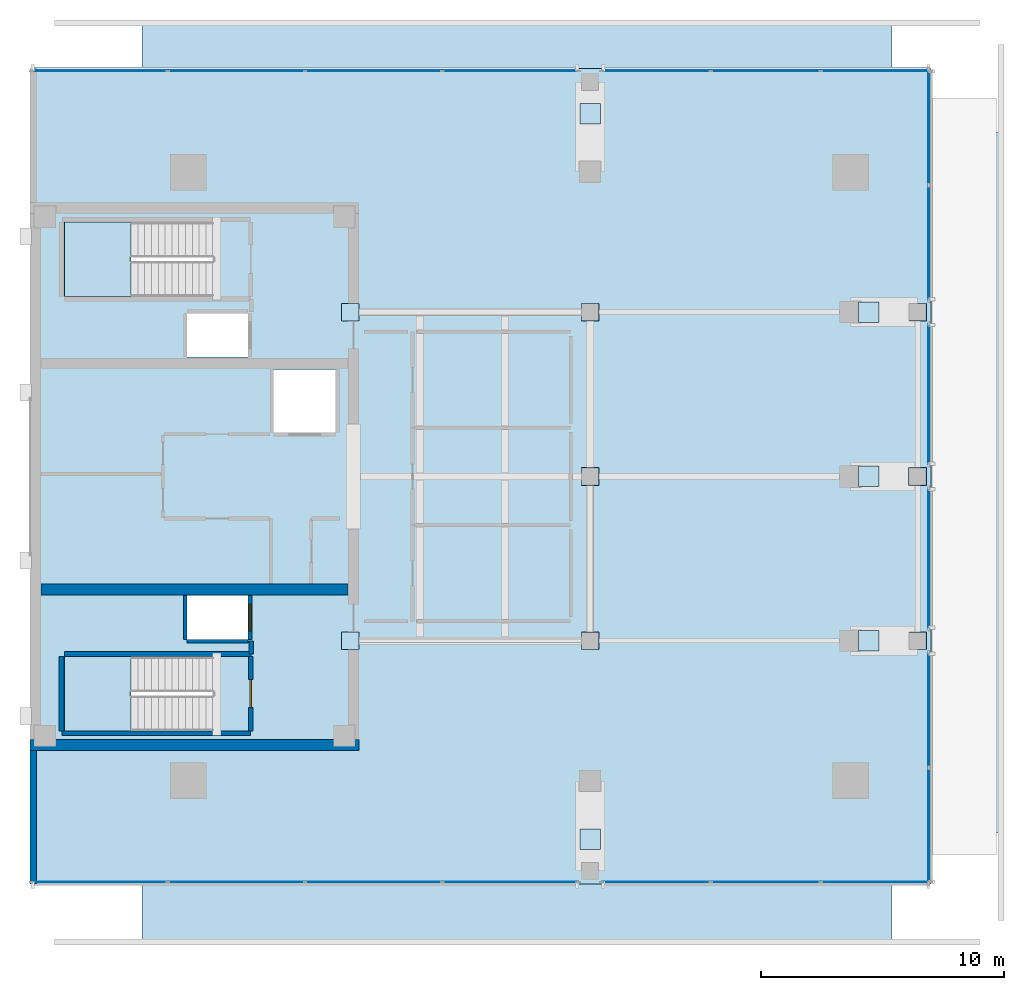
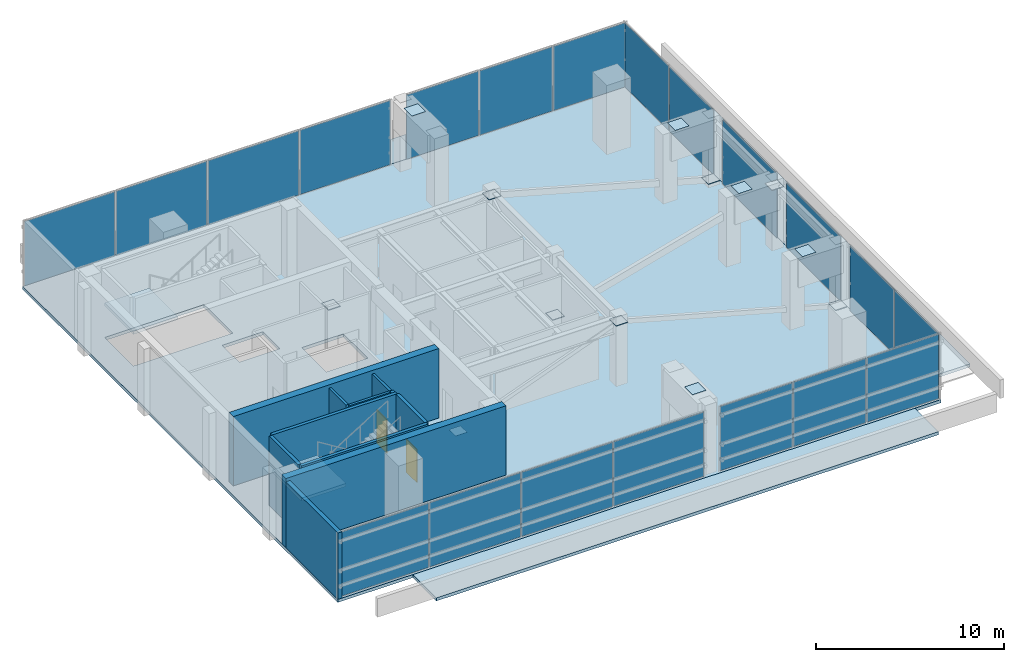
# One storey, part 7 of 13: 33 plates, 11 walls, 6 slabs, 2 doors, 2 openings, 10 elements without a shape of their own.
"""IFC4 building model written with IfcOpenShell, lengths in metres."""

from ifc_helpers import new_model, si_unit, direction, frame, frame_2d, origin, origin_2d, place, context, subcontext, project, spatial, polyline, rectangle, outline, extrude, material, layer, layer_set, type_object, element, fill, aggregate, save


model = new_model("IFC4")

# Units and contexts
model_context = context("Model", 3, precision=1e-05, world=origin(), true_north=direction((0.0, 1.0)))
body_context = subcontext(model_context, "Body", "Model", "MODEL_VIEW")
ifc_project = project(units=[si_unit("LENGTHUNIT", "METRE"), si_unit("AREAUNIT", "SQUARE_METRE"), si_unit("VOLUMEUNIT", "CUBIC_METRE"), si_unit("PLANEANGLEUNIT", "RADIAN"), si_unit("MASSUNIT", "GRAM", prefix="KILO")], contexts=[model_context])

# Site, building, storey
site_placement = place(None, origin())
site = spatial("IfcSite", under=ifc_project, at=site_placement, CompositionType="ELEMENT")
building_placement = place(site_placement, origin())
building = spatial("IfcBuilding", under=site, at=building_placement, Name="Kinhvarn Gate Tower", CompositionType="ELEMENT")
storey_placement = place(building_placement, frame((0.0, 0.0, 303.050048828125)))
storey = spatial("IfcBuildingStorey", under=building, at=storey_placement, Name="L80", CompositionType="ELEMENT", Elevation=303.050048828125)

# Curtain wall, plates
ifc_material_1 = material(Name="Anodised aluminium AW-6063", Category="aluminium")
ifc_layer_1 = layer(ifc_material_1, 0.199951171875)
ifc_layer_set_1 = layer_set([ifc_layer_1], Name="Anodised aluminium AW-6063")
curtain_wall_type = type_object("IfcCurtainWallType", Name="CW-SYS-6", PredefinedType="NOTDEFINED", material=ifc_layer_set_1)
curtain_wall_1_placement = place(storey_placement, origin())
curtain_wall_1 = element("IfcCurtainWall", 1, at=curtain_wall_1_placement, inside=storey, type_object=curtain_wall_type, Name="Curtain Wall CW6 (L80)", PredefinedType="NOTDEFINED")
ifc_material_2 = material(Name="Clear low-e double glazing", Category="glass")
ifc_layer_2 = layer(ifc_material_2, 0.031982421875)
ifc_layer_set_2 = layer_set([ifc_layer_2], Name="Clear low-e double glazing")
plate_type_1 = type_object("IfcPlateType", Name="CW-PNL-VIS", PredefinedType="CURTAIN_PANEL", material=ifc_layer_set_2)
plate_1_placement = place(storey_placement, frame((7.33740234375, 8.590087890625, 0.06494140625), z_axis=(0.0, 0.0, 1.0), x_axis=(1.0, 0.0, 0.0)))
plate_1 = element("IfcPlate", 2, at=plate_1_placement, type_object=plate_type_1, Name="CW6 panel 1.1", PredefinedType="CURTAIN_PANEL", context=body_context, shape_type="SweptSolid", body=[
    extrude(rectangle(XDim=5.544921875, YDim=0.031982421875, at=origin_2d()), origin(), (0.0, 0.0, 1.0), 4.169921875),
])
plate_2_placement = place(storey_placement, frame((12.9638671875, 8.590087890625, 0.06494140625), z_axis=(0.0, 0.0, 1.0), x_axis=(1.0, 0.0, 0.0)))
plate_2 = element("IfcPlate", 3, at=plate_2_placement, type_object=plate_type_1, Name="CW6 panel 2.1", PredefinedType="CURTAIN_PANEL", context=body_context, shape_type="SweptSolid", body=[
    extrude(rectangle(XDim=5.577392578125, YDim=0.031982421875, at=origin_2d()), origin(), (0.0, 0.0, 1.0), 4.169921875),
])
plate_3_placement = place(storey_placement, frame((18.606201171875, 8.590087890625, 0.06494140625), z_axis=(0.0, 0.0, 1.0), x_axis=(1.0, 0.0, 0.0)))
plate_3 = element("IfcPlate", 4, at=plate_3_placement, type_object=plate_type_1, Name="CW6 panel 3.1", PredefinedType="CURTAIN_PANEL", context=body_context, shape_type="SweptSolid", body=[
    extrude(rectangle(XDim=5.577392578125, YDim=0.031982421875, at=origin_2d()), origin(), (0.0, 0.0, 1.0), 4.169921875),
])
plate_4_placement = place(storey_placement, frame((24.232421875, 8.590087890625, 0.06494140625), z_axis=(0.0, 0.0, 1.0), x_axis=(1.0, 0.0, 0.0)))
plate_4 = element("IfcPlate", 5, at=plate_4_placement, type_object=plate_type_1, Name="CW6 panel 4.1", PredefinedType="CURTAIN_PANEL", context=body_context, shape_type="SweptSolid", body=[
    extrude(rectangle(XDim=5.544921875, YDim=0.031982421875, at=origin_2d()), origin(), (0.0, 0.0, 1.0), 4.169921875),
])
aggregate(curtain_wall_1, [plate_1, plate_2, plate_3, plate_4])

curtain_wall_2_placement = place(storey_placement, origin())
curtain_wall_2 = element("IfcCurtainWall", 6, at=curtain_wall_2_placement, inside=storey, type_object=curtain_wall_type, Name="Curtain Wall CW6 (L80)", PredefinedType="NOTDEFINED")
plate_5_placement = place(storey_placement, frame((30.2080078125, 8.590087890625, 0.06494140625), z_axis=(0.0, 0.0, 1.0), x_axis=(1.0, 0.0, 0.0)))
plate_5 = element("IfcPlate", 7, at=plate_5_placement, type_object=plate_type_1, Name="CW6 panel 1.1", PredefinedType="CURTAIN_PANEL", context=body_context, shape_type="SweptSolid", body=[
    extrude(rectangle(XDim=4.42578125, YDim=0.031982421875, at=origin_2d()), origin(), (0.0, 0.0, 1.0), 4.169921875),
])
plate_6_placement = place(storey_placement, frame((34.715087890625, 8.590087890625, 0.06494140625), z_axis=(0.0, 0.0, 1.0), x_axis=(1.0, 0.0, 0.0)))
plate_6 = element("IfcPlate", 8, at=plate_6_placement, type_object=plate_type_1, Name="CW6 panel 2.1", PredefinedType="CURTAIN_PANEL", context=body_context, shape_type="SweptSolid", body=[
    extrude(rectangle(XDim=4.458251953125, YDim=0.031982421875, at=origin_2d()), origin(), (0.0, 0.0, 1.0), 4.169921875),
])
plate_7_placement = place(storey_placement, frame((39.22216796875, 8.590087890625, 0.06494140625), z_axis=(0.0, 0.0, 1.0), x_axis=(1.0, 0.0, 0.0)))
plate_7 = element("IfcPlate", 9, at=plate_7_placement, type_object=plate_type_1, Name="CW6 panel 3.1", PredefinedType="CURTAIN_PANEL", context=body_context, shape_type="SweptSolid", body=[
    extrude(rectangle(XDim=4.42578125, YDim=0.031982421875, at=origin_2d()), origin(), (0.0, 0.0, 1.0), 4.169921875),
])
aggregate(curtain_wall_2, [plate_5, plate_6, plate_7])

curtain_wall_3_placement = place(storey_placement, origin())
curtain_wall_3 = element("IfcCurtainWall", 10, at=curtain_wall_3_placement, inside=storey, type_object=curtain_wall_type, Name="Curtain Wall CW6 (L80)", PredefinedType="NOTDEFINED")
plate_8_placement = place(storey_placement, frame((39.22216796875, 41.909912109375, 0.06494140625), z_axis=(0.0, 0.0, 1.0), x_axis=(-1.0, 0.0, 0.0)))
plate_8 = element("IfcPlate", 11, at=plate_8_placement, type_object=plate_type_1, Name="CW6 panel 1.1", PredefinedType="CURTAIN_PANEL", context=body_context, shape_type="SweptSolid", body=[
    extrude(rectangle(XDim=4.42578125, YDim=0.031982421875, at=origin_2d()), origin(), (0.0, 0.0, 1.0), 4.169921875),
])
plate_9_placement = place(storey_placement, frame((34.715087890625, 41.909912109375, 0.06494140625), z_axis=(0.0, 0.0, 1.0), x_axis=(-1.0, 0.0, 0.0)))
plate_9 = element("IfcPlate", 12, at=plate_9_placement, type_object=plate_type_1, Name="CW6 panel 2.1", PredefinedType="CURTAIN_PANEL", context=body_context, shape_type="SweptSolid", body=[
    extrude(rectangle(XDim=4.458251953125, YDim=0.031982421875, at=origin_2d()), origin(), (0.0, 0.0, 1.0), 4.169921875),
])
plate_10_placement = place(storey_placement, frame((30.2080078125, 41.909912109375, 0.06494140625), z_axis=(0.0, 0.0, 1.0), x_axis=(-1.0, 0.0, 0.0)))
plate_10 = element("IfcPlate", 13, at=plate_10_placement, type_object=plate_type_1, Name="CW6 panel 3.1", PredefinedType="CURTAIN_PANEL", context=body_context, shape_type="SweptSolid", body=[
    extrude(rectangle(XDim=4.42578125, YDim=0.031982421875, at=origin_2d()), origin(), (0.0, 0.0, 1.0), 4.169921875),
])
aggregate(curtain_wall_3, [plate_8, plate_9, plate_10])

curtain_wall_4_placement = place(storey_placement, origin())
curtain_wall_4 = element("IfcCurtainWall", 14, at=curtain_wall_4_placement, inside=storey, type_object=curtain_wall_type, Name="Curtain Wall CW6 (L80)", PredefinedType="NOTDEFINED")
plate_11_placement = place(storey_placement, frame((24.232421875, 41.909912109375, 0.06494140625), z_axis=(0.0, 0.0, 1.0), x_axis=(-1.0, 0.0, 0.0)))
plate_11 = element("IfcPlate", 15, at=plate_11_placement, type_object=plate_type_1, Name="CW6 panel 1.1", PredefinedType="CURTAIN_PANEL", context=body_context, shape_type="SweptSolid", body=[
    extrude(rectangle(XDim=5.544921875, YDim=0.031982421875, at=origin_2d()), origin(), (0.0, 0.0, 1.0), 4.169921875),
])
plate_12_placement = place(storey_placement, frame((18.606201171875, 41.909912109375, 0.06494140625), z_axis=(0.0, 0.0, 1.0), x_axis=(-1.0, 0.0, 0.0)))
plate_12 = element("IfcPlate", 16, at=plate_12_placement, type_object=plate_type_1, Name="CW6 panel 2.1", PredefinedType="CURTAIN_PANEL", context=body_context, shape_type="SweptSolid", body=[
    extrude(rectangle(XDim=5.577392578125, YDim=0.031982421875, at=origin_2d()), origin(), (0.0, 0.0, 1.0), 4.169921875),
])
plate_13_placement = place(storey_placement, frame((12.9638671875, 41.909912109375, 0.06494140625), z_axis=(0.0, 0.0, 1.0), x_axis=(-1.0, 0.0, 0.0)))
plate_13 = element("IfcPlate", 17, at=plate_13_placement, type_object=plate_type_1, Name="CW6 panel 3.1", PredefinedType="CURTAIN_PANEL", context=body_context, shape_type="SweptSolid", body=[
    extrude(rectangle(XDim=5.577392578125, YDim=0.031982421875, at=origin_2d()), origin(), (0.0, 0.0, 1.0), 4.169921875),
])
plate_14_placement = place(storey_placement, frame((7.33740234375, 41.909912109375, 0.06494140625), z_axis=(0.0, 0.0, 1.0), x_axis=(-1.0, 0.0, 0.0)))
plate_14 = element("IfcPlate", 18, at=plate_14_placement, type_object=plate_type_1, Name="CW6 panel 4.1", PredefinedType="CURTAIN_PANEL", context=body_context, shape_type="SweptSolid", body=[
    extrude(rectangle(XDim=5.544921875, YDim=0.031982421875, at=origin_2d()), origin(), (0.0, 0.0, 1.0), 4.169921875),
])
aggregate(curtain_wall_4, [plate_11, plate_12, plate_13, plate_14])

curtain_wall_5_placement = place(storey_placement, origin())
curtain_wall_5 = element("IfcCurtainWall", 19, at=curtain_wall_5_placement, inside=storey, type_object=curtain_wall_type, Name="Curtain Wall CW6 (L80)", PredefinedType="NOTDEFINED")
plate_15_placement = place(storey_placement, frame((41.409912109375, 10.90869140625, 0.06494140625), z_axis=(0.0, 0.0, 1.0), x_axis=(0.0, 1.0, 0.0)))
plate_15 = element("IfcPlate", 20, at=plate_15_placement, type_object=plate_type_1, Name="CW6 panel 1.1", PredefinedType="CURTAIN_PANEL", context=body_context, shape_type="SweptSolid", body=[
    extrude(rectangle(XDim=4.6875, YDim=0.031982421875, at=origin_2d()), origin(), (0.0, 0.0, 1.0), 4.169921875),
])
plate_16_placement = place(storey_placement, frame((41.409912109375, 15.6611328125, 0.06494140625), z_axis=(0.0, 0.0, 1.0), x_axis=(0.0, 1.0, 0.0)))
plate_16 = element("IfcPlate", 21, at=plate_16_placement, type_object=plate_type_1, Name="CW6 panel 2.1", PredefinedType="CURTAIN_PANEL", context=body_context, shape_type="SweptSolid", body=[
    extrude(rectangle(XDim=4.6875, YDim=0.031982421875, at=origin_2d()), origin(), (0.0, 0.0, 1.0), 4.169921875),
])
aggregate(curtain_wall_5, [plate_15, plate_16])

# Curtain wall, plate
curtain_wall_6_placement = place(storey_placement, origin())
curtain_wall_6 = element("IfcCurtainWall", 22, at=curtain_wall_6_placement, inside=storey, type_object=curtain_wall_type, Name="Curtain Wall CW6 (L80)", PredefinedType="NOTDEFINED")
plate_17_placement = place(storey_placement, frame((41.409912109375, 21.875, 0.06494140625), z_axis=(0.0, 0.0, 1.0), x_axis=(0.0, 1.0, 0.0)))
plate_17 = element("IfcPlate", 23, at=plate_17_placement, type_object=plate_type_1, Name="CW6 panel 1.1", PredefinedType="CURTAIN_PANEL", context=body_context, shape_type="SweptSolid", body=[
    extrude(rectangle(XDim=5.760009765625, YDim=0.031982421875, at=origin_2d()), origin(), (0.0, 0.0, 1.0), 4.169921875),
])
aggregate(curtain_wall_6, [plate_17])

curtain_wall_7_placement = place(storey_placement, origin())
curtain_wall_7 = element("IfcCurtainWall", 24, at=curtain_wall_7_placement, inside=storey, type_object=curtain_wall_type, Name="Curtain Wall CW6 (L80)", PredefinedType="NOTDEFINED")
plate_18_placement = place(storey_placement, frame((41.409912109375, 28.625, 0.06494140625), z_axis=(0.0, 0.0, 1.0), x_axis=(0.0, 1.0, 0.0)))
plate_18 = element("IfcPlate", 25, at=plate_18_placement, type_object=plate_type_1, Name="CW6 panel 1.1", PredefinedType="CURTAIN_PANEL", context=body_context, shape_type="SweptSolid", body=[
    extrude(rectangle(XDim=5.760009765625, YDim=0.031982421875, at=origin_2d()), origin(), (0.0, 0.0, 1.0), 4.169921875),
])
aggregate(curtain_wall_7, [plate_18])

# Curtain wall, plates
curtain_wall_8_placement = place(storey_placement, origin())
curtain_wall_8 = element("IfcCurtainWall", 26, at=curtain_wall_8_placement, inside=storey, type_object=curtain_wall_type, Name="Curtain Wall CW6 (L80)", PredefinedType="NOTDEFINED")
plate_19_placement = place(storey_placement, frame((41.409912109375, 34.8388671875, 0.06494140625), z_axis=(0.0, 0.0, 1.0), x_axis=(0.0, 1.0, 0.0)))
plate_19 = element("IfcPlate", 27, at=plate_19_placement, type_object=plate_type_1, Name="CW6 panel 1.1", PredefinedType="CURTAIN_PANEL", context=body_context, shape_type="SweptSolid", body=[
    extrude(rectangle(XDim=4.6875, YDim=0.031982421875, at=origin_2d()), origin(), (0.0, 0.0, 1.0), 4.169921875),
])
plate_20_placement = place(storey_placement, frame((41.409912109375, 39.59130859375, 0.06494140625), z_axis=(0.0, 0.0, 1.0), x_axis=(0.0, 1.0, 0.0)))
plate_20 = element("IfcPlate", 28, at=plate_20_placement, type_object=plate_type_1, Name="CW6 panel 2.1", PredefinedType="CURTAIN_PANEL", context=body_context, shape_type="SweptSolid", body=[
    extrude(rectangle(XDim=4.6875, YDim=0.031982421875, at=origin_2d()), origin(), (0.0, 0.0, 1.0), 4.169921875),
])
aggregate(curtain_wall_8, [plate_19, plate_20])

# Plates
ifc_material_3 = material(Name="Steel S355", Category="steel")
ifc_layer_3 = layer(ifc_material_3, 0.02392578125)
ifc_layer_set_3 = layer_set([ifc_layer_3], Name="Steel S355")
plate_type_2 = type_object("IfcPlateType", Name="PLT-NODE-CB1", PredefinedType="USERDEFINED", material=ifc_layer_set_3)
plate_21_placement = place(storey_placement, frame((0.0, 0.0, 4.47802734375)))
element("IfcPlate", 29, at=plate_21_placement, inside=storey, type_object=plate_type_2, Name="Structural Node Cap Plate CB1", ObjectType="GUSSET_PLATE", PredefinedType="USERDEFINED", context=body_context, shape_type="SweptSolid", body=[
    extrude(outline(polyline([(38.530029296875, 18.080078125), (39.3701171875, 18.080078125), (39.3701171875, 18.919921875), (38.530029296875, 18.919921875), (38.530029296875, 18.080078125)])), origin(), (0.0, 0.0, 1.0), 0.02392578125),
])
plate_22_placement = place(storey_placement, frame((0.0, 0.0, 4.47802734375)))
element("IfcPlate", 30, at=plate_22_placement, inside=storey, type_object=plate_type_2, Name="Structural Node Cap Plate CB1", ObjectType="GUSSET_PLATE", PredefinedType="USERDEFINED", context=body_context, shape_type="SweptSolid", body=[
    extrude(outline(polyline([(38.530029296875, 24.830078125), (39.3701171875, 24.830078125), (39.3701171875, 25.669921875), (38.530029296875, 25.669921875), (38.530029296875, 24.830078125)])), origin(), (0.0, 0.0, 1.0), 0.02392578125),
])
plate_23_placement = place(storey_placement, frame((0.0, 0.0, 4.47802734375)))
element("IfcPlate", 31, at=plate_23_placement, inside=storey, type_object=plate_type_2, Name="Structural Node Cap Plate CB1", ObjectType="GUSSET_PLATE", PredefinedType="USERDEFINED", context=body_context, shape_type="SweptSolid", body=[
    extrude(outline(polyline([(38.530029296875, 31.580078125), (39.3701171875, 31.580078125), (39.3701171875, 32.419921875), (38.530029296875, 32.419921875), (38.530029296875, 31.580078125)])), origin(), (0.0, 0.0, 1.0), 0.02392578125),
])
plate_24_placement = place(storey_placement, frame((0.0, 0.0, 4.47802734375)))
element("IfcPlate", 32, at=plate_24_placement, inside=storey, type_object=plate_type_2, Name="Structural Node Cap Plate CB1", ObjectType="GUSSET_PLATE", PredefinedType="USERDEFINED", context=body_context, shape_type="SweptSolid", body=[
    extrude(outline(polyline([(27.080078125, 9.929931640625), (27.919921875, 9.929931640625), (27.919921875, 10.77001953125), (27.080078125, 10.77001953125), (27.080078125, 9.929931640625)])), origin(), (0.0, 0.0, 1.0), 0.02392578125),
])
plate_25_placement = place(storey_placement, frame((0.0, 0.0, 4.47802734375)))
element("IfcPlate", 33, at=plate_25_placement, inside=storey, type_object=plate_type_2, Name="Structural Node Cap Plate CB1", ObjectType="GUSSET_PLATE", PredefinedType="USERDEFINED", context=body_context, shape_type="SweptSolid", body=[
    extrude(outline(polyline([(27.080078125, 39.72998046875), (27.919921875, 39.72998046875), (27.919921875, 40.570068359375), (27.080078125, 40.570068359375), (27.080078125, 39.72998046875)])), origin(), (0.0, 0.0, 1.0), 0.02392578125),
])
plate_26_placement = place(storey_placement, frame((0.0, 0.0, 0.238037109375)))
element("IfcPlate", 34, at=plate_26_placement, inside=storey, type_object=plate_type_2, Name="Structural Node Cap Plate CB1", ObjectType="GUSSET_PLATE", PredefinedType="USERDEFINED", context=body_context, shape_type="SweptSolid", body=[
    extrude(outline(polyline([(17.2900390625, 18.139892578125), (18.010009765625, 18.139892578125), (18.010009765625, 18.860107421875), (17.2900390625, 18.860107421875), (17.2900390625, 18.139892578125)])), origin(), (0.0, 0.0, 1.0), 0.02392578125),
])
plate_27_placement = place(storey_placement, frame((0.0, 0.0, 0.238037109375)))
element("IfcPlate", 35, at=plate_27_placement, inside=storey, type_object=plate_type_2, Name="Structural Node Cap Plate CB1", ObjectType="GUSSET_PLATE", PredefinedType="USERDEFINED", context=body_context, shape_type="SweptSolid", body=[
    extrude(outline(polyline([(17.2900390625, 31.639892578125), (18.010009765625, 31.639892578125), (18.010009765625, 32.360107421875), (17.2900390625, 32.360107421875), (17.2900390625, 31.639892578125)])), origin(), (0.0, 0.0, 1.0), 0.02392578125),
])
plate_28_placement = place(storey_placement, frame((0.0, 0.0, 0.238037109375)))
element("IfcPlate", 36, at=plate_28_placement, inside=storey, type_object=plate_type_2, Name="Structural Node Cap Plate CB1", ObjectType="GUSSET_PLATE", PredefinedType="USERDEFINED", context=body_context, shape_type="SweptSolid", body=[
    extrude(outline(polyline([(27.135009765625, 24.885009765625), (27.864990234375, 24.885009765625), (27.864990234375, 25.614990234375), (27.135009765625, 25.614990234375), (27.135009765625, 24.885009765625)])), origin(), (0.0, 0.0, 1.0), 0.02392578125),
])
ifc_layer_4 = layer(ifc_material_3, 0.033935546875)
ifc_layer_set_4 = layer_set([ifc_layer_4], Name="Steel S355")
plate_type_3 = type_object("IfcPlateType", Name="PLT-NODE-KN4", PredefinedType="USERDEFINED", material=ifc_layer_set_4)
plate_29_placement = place(storey_placement, frame((0.0, 0.0, 3.932861328125)))
element("IfcPlate", 37, at=plate_29_placement, inside=storey, type_object=plate_type_3, Name="Structural Node Cap Plate KN4", ObjectType="GUSSET_PLATE", PredefinedType="USERDEFINED", context=body_context, shape_type="SweptSolid", body=[
    extrude(outline(polyline([(27.139892578125, 18.139892578125), (27.860107421875, 18.139892578125), (27.860107421875, 18.860107421875), (27.139892578125, 18.860107421875), (27.139892578125, 18.139892578125)])), origin(), (0.0, 0.0, 1.0), 0.0341796875),
])
plate_30_placement = place(storey_placement, frame((0.0, 0.0, 0.23291015625)))
element("IfcPlate", 38, at=plate_30_placement, inside=storey, type_object=plate_type_3, Name="Structural Node Cap Plate KN4", ObjectType="GUSSET_PLATE", PredefinedType="USERDEFINED", context=body_context, shape_type="SweptSolid", body=[
    extrude(outline(polyline([(40.590087890625, 18.139892578125), (41.31005859375, 18.139892578125), (41.31005859375, 18.860107421875), (40.590087890625, 18.860107421875), (40.590087890625, 18.139892578125)])), origin(), (0.0, 0.0, 1.0), 0.033935546875),
])
plate_31_placement = place(storey_placement, frame((0.0, 0.0, 3.932861328125)))
element("IfcPlate", 39, at=plate_31_placement, inside=storey, type_object=plate_type_3, Name="Structural Node Cap Plate KN4", ObjectType="GUSSET_PLATE", PredefinedType="USERDEFINED", context=body_context, shape_type="SweptSolid", body=[
    extrude(outline(polyline([(27.139892578125, 31.639892578125), (27.860107421875, 31.639892578125), (27.860107421875, 32.360107421875), (27.139892578125, 32.360107421875), (27.139892578125, 31.639892578125)])), origin(), (0.0, 0.0, 1.0), 0.0341796875),
])
plate_32_placement = place(storey_placement, frame((0.0, 0.0, 0.23291015625)))
element("IfcPlate", 40, at=plate_32_placement, inside=storey, type_object=plate_type_3, Name="Structural Node Cap Plate KN4", ObjectType="GUSSET_PLATE", PredefinedType="USERDEFINED", context=body_context, shape_type="SweptSolid", body=[
    extrude(outline(polyline([(40.590087890625, 31.639892578125), (41.31005859375, 31.639892578125), (41.31005859375, 32.360107421875), (40.590087890625, 32.360107421875), (40.590087890625, 31.639892578125)])), origin(), (0.0, 0.0, 1.0), 0.033935546875),
])
plate_33_placement = place(storey_placement, frame((0.0, 0.0, 3.932861328125)))
element("IfcPlate", 41, at=plate_33_placement, inside=storey, type_object=plate_type_3, Name="Structural Node Cap Plate KN4", ObjectType="GUSSET_PLATE", PredefinedType="USERDEFINED", context=body_context, shape_type="SweptSolid", body=[
    extrude(outline(polyline([(40.5849609375, 24.885009765625), (41.31494140625, 24.885009765625), (41.31494140625, 25.614990234375), (40.5849609375, 25.614990234375), (40.5849609375, 24.885009765625)])), origin(), (0.0, 0.0, 1.0), 0.0341796875),
])

# Slabs
ifc_material_4 = material(Name="Concrete C40/50", Category="concrete")
ifc_layer_5 = layer(ifc_material_4, 0.199951171875)
ifc_layer_set_5 = layer_set([ifc_layer_5], Name="Concrete C40/50")
slab_type_1 = type_object("IfcSlabType", Name="SLB-FLR-200", PredefinedType="FLOOR", material=ifc_layer_set_5)
slab_1_placement = place(storey_placement, frame((0.0, 0.0, -0.199951171875)))
element("IfcSlab", 42, at=slab_1_placement, inside=storey, type_object=slab_type_1, Name="Suspended Floor Slab L80", PredefinedType="FLOOR", context=body_context, shape_type="SweptSolid", body=[
    extrude(outline(polyline([(4.5, 8.5), (41.5, 8.5), (41.5, 42.0), (4.5, 42.0), (4.5, 8.5)]), holes=[polyline([(5.89990234375, 14.800048828125), (12.0, 14.800048828125), (12.0, 17.85009765625), (5.89990234375, 17.85009765625), (5.89990234375, 14.800048828125)]), polyline([(5.89990234375, 32.64990234375), (12.0, 32.64990234375), (12.0, 35.699951171875), (5.89990234375, 35.699951171875), (5.89990234375, 32.64990234375)]), polyline([(14.5, 27.050048828125), (17.050048828125, 27.050048828125), (17.050048828125, 29.64990234375), (14.5, 29.64990234375), (14.5, 27.050048828125)]), polyline([(10.949951171875, 18.550048828125), (13.449951171875, 18.550048828125), (13.449951171875, 20.35009765625), (10.949951171875, 20.35009765625), (10.949951171875, 18.550048828125)]), polyline([(10.949951171875, 30.14990234375), (13.449951171875, 30.14990234375), (13.449951171875, 31.949951171875), (10.949951171875, 31.949951171875), (10.949951171875, 30.14990234375)])]), origin(), (0.0, 0.0, 1.0), 0.199951171875),
])
ifc_material_5 = material(Name="Concrete C50/60", Category="concrete")
ifc_layer_6 = layer(ifc_material_5, 0.199951171875)
ifc_layer_set_6 = layer_set([ifc_layer_6], Name="Concrete C50/60")
slab_type_2 = type_object("IfcSlabType", Name="SLB-ROOF-200", PredefinedType="ROOF", material=ifc_layer_set_6)
slab_2_placement = place(storey_placement, frame((0.0, 0.0, -0.199951171875)))
element("IfcSlab", 43, at=slab_2_placement, inside=storey, type_object=slab_type_2, Name="Stepped Crown Ledge Roof Slab L80-E", PredefinedType="ROOF", context=body_context, shape_type="SweptSolid", body=[
    extrude(outline(polyline([(41.5, 10.60009765625), (41.5, 39.39990234375), (44.5, 39.39990234375), (44.5, 10.60009765625), (41.5, 10.60009765625)])), origin(), (0.0, 0.0, 1.0), 0.199951171875),
])
slab_3_placement = place(storey_placement, frame((0.0, 0.0, -0.199951171875)))
element("IfcSlab", 44, at=slab_3_placement, inside=storey, type_object=slab_type_2, Name="Stepped Crown Ledge Roof Slab L80-S", PredefinedType="ROOF", context=body_context, shape_type="SweptSolid", body=[
    extrude(outline(polyline([(9.10009765625, 6.0), (9.10009765625, 8.5), (39.89990234375, 8.5), (39.89990234375, 6.0), (9.10009765625, 6.0)])), origin(), (0.0, 0.0, 1.0), 0.199951171875),
])
slab_4_placement = place(storey_placement, frame((0.0, 0.0, -0.199951171875)))
element("IfcSlab", 45, at=slab_4_placement, inside=storey, type_object=slab_type_2, Name="Stepped Crown Ledge Roof Slab L80-N", PredefinedType="ROOF", context=body_context, shape_type="SweptSolid", body=[
    extrude(outline(polyline([(39.89990234375, 42.0), (9.10009765625, 42.0), (9.10009765625, 44.0), (39.89990234375, 44.0), (39.89990234375, 42.0)])), origin(), (0.0, 0.0, 1.0), 0.199951171875),
])

# Stair, slab
stair_type = type_object("IfcStairType", Name="STR-DLG-173", PredefinedType="HALF_TURN_STAIR", material=ifc_material_4)
stair_1_placement = place(storey_placement, origin())
stair_1 = element("IfcStair", 46, at=stair_1_placement, inside=storey, type_object=stair_type, Name="L80 Core Smokeproof Exit Stair ST1", PredefinedType="HALF_TURN_STAIR")
ifc_layer_7 = layer(ifc_material_4, 0.199951171875)
ifc_layer_set_7 = layer_set([ifc_layer_7], Name="Concrete C40/50")
slab_type_3 = type_object("IfcSlabType", Name="SLB-ST-LND", PredefinedType="LANDING", material=ifc_layer_set_7)
slab_5_placement = place(storey_placement, frame((0.0, 0.0, 2.050048828125)))
slab_5 = element("IfcSlab", 47, at=slab_5_placement, type_object=slab_type_3, Name="ST1 landing 1", PredefinedType="LANDING", context=body_context, shape_type="SweptSolid", body=[
    extrude(outline(polyline([(8.639892578125, 17.85009765625), (5.89990234375, 17.85009765625), (5.89990234375, 14.800048828125), (8.639892578125, 14.800048828125), (8.639892578125, 17.85009765625)])), origin(), (0.0, 0.0, 1.0), 0.199951171875),
])
aggregate(stair_1, [slab_5])

stair_2_placement = place(storey_placement, origin())
stair_2 = element("IfcStair", 48, at=stair_2_placement, inside=storey, type_object=stair_type, Name="L80 Core Smokeproof Exit Stair ST2", PredefinedType="HALF_TURN_STAIR")
slab_6_placement = place(storey_placement, frame((0.0, 0.0, 2.050048828125)))
slab_6 = element("IfcSlab", 49, at=slab_6_placement, type_object=slab_type_3, Name="ST2 landing 1", PredefinedType="LANDING", context=body_context, shape_type="SweptSolid", body=[
    extrude(outline(polyline([(8.639892578125, 35.699951171875), (5.89990234375, 35.699951171875), (5.89990234375, 32.64990234375), (8.639892578125, 32.64990234375), (8.639892578125, 35.699951171875)])), origin(), (0.0, 0.0, 1.0), 0.199951171875),
])
aggregate(stair_2, [slab_6])

# Walls
ifc_layer_8 = layer(ifc_material_5, 0.449951171875)
ifc_layer_set_8 = layer_set([ifc_layer_8], Name="Concrete C50/60")
wall_type_1 = type_object("IfcWallType", Name="WL-CORE-450", PredefinedType="SHEAR", material=ifc_layer_set_8)
wall_1_placement = place(storey_placement, frame((4.5, 14.22509765625, 0.0), z_axis=(0.0, 0.0, 1.0), x_axis=(1.0, 0.0, 0.0)))
element("IfcWall", 50, at=wall_1_placement, inside=storey, type_object=wall_type_1, Name="Core South Shear Wall L80 450 mm", PredefinedType="SHEAR", context=body_context, shape_type="SweptSolid", body=[
    extrude(rectangle(XDim=13.5, YDim=0.449951171875, at=frame_2d((6.75, 0.0))), origin(), (0.0, 0.0, 1.0), 4.5),
])
wall_2_placement = place(storey_placement, frame((4.949951171875, 20.60009765625, 0.0), z_axis=(0.0, 0.0, 1.0), x_axis=(1.0, 0.0, 0.0)))
element("IfcWall", 51, at=wall_2_placement, inside=storey, type_object=wall_type_1, Name="Core South Spine Shear Wall L80 450 mm", PredefinedType="SHEAR", context=body_context, shape_type="SweptSolid", body=[
    extrude(rectangle(XDim=12.60009765625, YDim=0.449951171875, at=frame_2d((6.300048828125, 0.0))), origin(), (0.0, 0.0, 1.0), 4.5),
])
ifc_material_6 = material(Name="Fired architectural terracotta", Category="masonry")
ifc_layer_9 = layer(ifc_material_6, 0.25)
ifc_layer_set_9 = layer_set([ifc_layer_9], Name="Fired architectural terracotta")
wall_type_2 = type_object("IfcWallType", Name="WL-EXT-250", PredefinedType="SOLIDWALL", material=ifc_layer_set_9)
wall_3_placement = place(storey_placement, frame((4.625, 14.0, 0.0), z_axis=(0.0, 0.0, 1.0), x_axis=(0.0, -1.0, 0.0)))
element("IfcWall", 52, at=wall_3_placement, inside=storey, type_object=wall_type_2, Name="Exterior Solidwall Wall EW-250 (L80 West-South)", PredefinedType="SOLIDWALL", context=body_context, shape_type="SweptSolid", body=[
    extrude(rectangle(XDim=5.5, YDim=0.25, at=frame_2d((2.75, 0.0))), origin(), (0.0, 0.0, 1.0), 4.300048828125),
])
ifc_material_7 = material(Name="Gypsum acoustic partition board")
ifc_layer_10 = layer(ifc_material_7, 0.199951171875)
ifc_layer_set_10 = layer_set([ifc_layer_10], Name="Gypsum acoustic partition board")
wall_type_3 = type_object("IfcWallType", Name="WL-PRT-200", PredefinedType="PARTITIONING", material=ifc_layer_set_10)
wall_4_placement = place(storey_placement, frame((13.580078125, 17.9599609375, 0.0), z_axis=(0.0, 0.0, 1.0), x_axis=(0.0, 1.0, 0.0)))
element("IfcWall", 53, at=wall_4_placement, inside=storey, type_object=wall_type_3, Name="Interior Partition PW-200 (L80)", PredefinedType="PARTITIONING", context=body_context, shape_type="SweptSolid", body=[
    extrude(rectangle(XDim=0.5400390625, YDim=0.199951171875, at=frame_2d((0.27001953125, 0.0))), origin(), (0.0, 0.0, 1.0), 4.300048828125),
])
ifc_layer_11 = layer(ifc_material_7, 0.14990234375)
ifc_layer_set_11 = layer_set([ifc_layer_11], Name="Gypsum acoustic partition board")
wall_type_4 = type_object("IfcWallType", Name="WL-SHF-150", PredefinedType="PARTITIONING", material=ifc_layer_set_11)
wall_5_placement = place(storey_placement, frame((10.949951171875, 18.47509765625, 0.0), z_axis=(0.0, 0.0, 1.0), x_axis=(1.0, 0.0, 0.0)))
element("IfcWall", 54, at=wall_5_placement, inside=storey, type_object=wall_type_4, Name="Elevator FF1 Hoistway Wall S (L80)", PredefinedType="PARTITIONING", context=body_context, shape_type="SweptSolid", body=[
    extrude(rectangle(XDim=2.5, YDim=0.14990234375, at=frame_2d((1.25, 0.0))), origin(), (0.0, 0.0, 1.0), 4.300048828125),
])
wall_6_placement = place(storey_placement, frame((10.875, 18.550048828125, 0.0), z_axis=(0.0, 0.0, 1.0), x_axis=(0.0, 1.0, 0.0)))
element("IfcWall", 55, at=wall_6_placement, inside=storey, type_object=wall_type_4, Name="Elevator FF1 Hoistway Wall W (L80)", PredefinedType="PARTITIONING", context=body_context, shape_type="SweptSolid", body=[
    extrude(rectangle(XDim=1.800048828125, YDim=0.14990234375, at=frame_2d((0.89990234375, 0.0))), origin(), (0.0, 0.0, 1.0), 4.300048828125),
])

# Wall, opening, door
wall_7_placement = place(storey_placement, frame((13.52490234375, 18.550048828125, 0.0), z_axis=(0.0, 0.0, 1.0), x_axis=(0.0, 1.0, 0.0)))
wall_7 = element("IfcWall", 56, at=wall_7_placement, inside=storey, type_object=wall_type_4, Name="Elevator FF1 Landing Wall (L80)", PredefinedType="PARTITIONING", context=body_context, shape_type="SweptSolid", body=[
    extrude(rectangle(XDim=1.800048828125, YDim=0.14990234375, at=frame_2d((0.89990234375, 0.0))), origin(), (0.0, 0.0, 1.0), 4.300048828125),
])
opening_1_placement = place(wall_7_placement, frame((0.35009765625, 0.0, 0.0)))
opening_1 = element("IfcOpeningElement", 57, at=opening_1_placement, cuts=wall_7, Name="Opening LD-03", PredefinedType="OPENING", context=body_context, shape_type="SweptSolid", body=[
    extrude(rectangle(XDim=1.10009765625, YDim=2.199951171875, at=frame_2d((0.550048828125, 1.10009765625))), frame((0.0, 0.0849609375, 0.0), z_axis=(0.0, -1.0, 0.0), x_axis=(1.0, 0.0, 0.0)), (0.0, 0.0, 1.0), 0.169921875),
])
door_type_1 = type_object("IfcDoorType", Name="DR-LND-FF", OperationType="NOTDEFINED", PredefinedType="DOOR", material=ifc_material_1)
door_1_placement = place(opening_1_placement, origin())
door_1 = element("IfcDoor", 58, at=door_1_placement, inside=storey, type_object=door_type_1, Name="Elevator FF1 Sliding Landing Door (L80)", OperationType="DOUBLE_DOOR_SLIDING", OverallHeight=2.199951171875, OverallWidth=1.10009765625, PredefinedType="DOOR", context=body_context, shape_type="SweptSolid", body=[
    extrude(rectangle(XDim=1.10009765625, YDim=2.199951171875, at=frame_2d((0.550048828125, 1.10009765625))), frame((0.0, 0.02490234375, 0.0), z_axis=(0.0, -1.0, 0.0), x_axis=(1.0, 0.0, 0.0)), (0.0, 0.0, 1.0), 0.050048828125),
])
fill(opening_1, door_1)

# Walls
ifc_layer_12 = layer(ifc_material_4, 0.199951171875)
ifc_layer_set_12 = layer_set([ifc_layer_12], Name="Concrete C40/50")
wall_type_5 = type_object("IfcWallType", Name="WL-SHF-200", PredefinedType="SOLIDWALL", material=ifc_layer_set_12)
wall_8_placement = place(storey_placement, frame((5.800048828125, 14.699951171875, 0.0), z_axis=(0.0, 0.0, 1.0), x_axis=(1.0, 0.0, 0.0)))
element("IfcWall", 59, at=wall_8_placement, inside=storey, type_object=wall_type_5, Name="Stair ST1 South Shaft Wall (L80)", PredefinedType="SOLIDWALL", context=body_context, shape_type="SweptSolid", body=[
    extrude(rectangle(XDim=7.75, YDim=0.199951171875, at=frame_2d((3.875, 0.0))), origin(), (0.0, 0.0, 1.0), 4.5),
])
wall_9_placement = place(storey_placement, frame((5.7900390625, 14.800048828125, 0.0), z_axis=(0.0, 0.0, 1.0), x_axis=(0.0, 1.0, 0.0)))
element("IfcWall", 60, at=wall_9_placement, inside=storey, type_object=wall_type_5, Name="Stair ST1 West Shaft Wall (L80)", PredefinedType="SOLIDWALL", context=body_context, shape_type="SweptSolid", body=[
    extrude(rectangle(XDim=3.050048828125, YDim=0.199951171875, at=frame_2d((1.52490234375, 0.0))), origin(), (0.0, 0.0, 1.0), 4.5),
])
wall_10_placement = place(storey_placement, frame((5.89990234375, 17.9599609375, 0.0), z_axis=(0.0, 0.0, 1.0), x_axis=(1.0, 0.0, 0.0)))
element("IfcWall", 61, at=wall_10_placement, inside=storey, type_object=wall_type_5, Name="Stair ST1 North Shaft Wall (L80)", PredefinedType="SOLIDWALL", context=body_context, shape_type="SweptSolid", body=[
    extrude(rectangle(XDim=7.66015625, YDim=0.199951171875, at=frame_2d((3.830078125, 0.0))), origin(), (0.0, 0.0, 1.0), 4.5),
])

# Wall, opening, door
wall_11_placement = place(storey_placement, frame((13.56005859375, 14.800048828125, 0.0), z_axis=(0.0, 0.0, 1.0), x_axis=(0.0, 1.0, 0.0)))
wall_11 = element("IfcWall", 62, at=wall_11_placement, inside=storey, type_object=wall_type_5, Name="Stair ST1 East Entry Wall (L80)", PredefinedType="SOLIDWALL", context=body_context, shape_type="SweptSolid", body=[
    extrude(rectangle(XDim=3.050048828125, YDim=0.199951171875, at=frame_2d((1.52490234375, 0.0))), origin(), (0.0, 0.0, 1.0), 4.5),
])
opening_2_placement = place(wall_11_placement, frame((0.949951171875, 0.0, 0.0)))
opening_2 = element("IfcOpeningElement", 63, at=opening_2_placement, cuts=wall_11, Name="Opening FD-01", PredefinedType="OPENING", context=body_context, shape_type="SweptSolid", body=[
    extrude(rectangle(XDim=1.14990234375, YDim=2.14990234375, at=frame_2d((0.574951171875, 1.074951171875))), frame((0.0, 0.10986328125, 0.0), z_axis=(0.0, -1.0, 0.0), x_axis=(1.0, 0.0, 0.0)), (0.0, 0.0, 1.0), 0.219970703125),
])
door_type_2 = type_object("IfcDoorType", Name="DR-ST-1150", OperationType="NOTDEFINED", PredefinedType="DOOR", material=ifc_material_1)
door_2_placement = place(opening_2_placement, origin())
door_2 = element("IfcDoor", 64, at=door_2_placement, inside=storey, type_object=door_type_2, Name="Exit Stair ST1 Fire Door (L80)", OperationType="SINGLE_SWING_RIGHT", OverallHeight=2.14990234375, OverallWidth=1.14990234375, PredefinedType="DOOR", context=body_context, shape_type="SweptSolid", body=[
    extrude(rectangle(XDim=1.14990234375, YDim=2.14990234375, at=frame_2d((0.574951171875, 1.074951171875))), frame((0.0, 0.02490234375, 0.0), z_axis=(0.0, -1.0, 0.0), x_axis=(1.0, 0.0, 0.0)), (0.0, 0.0, 1.0), 0.050048828125),
])
fill(opening_2, door_2)

save(model, "model.ifc")
